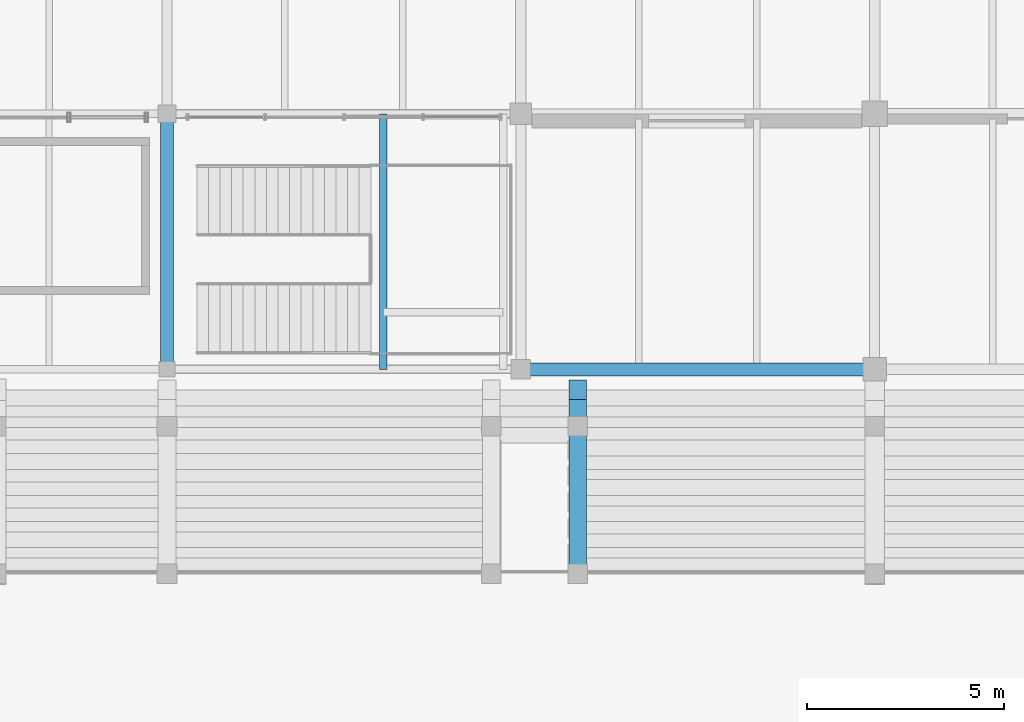
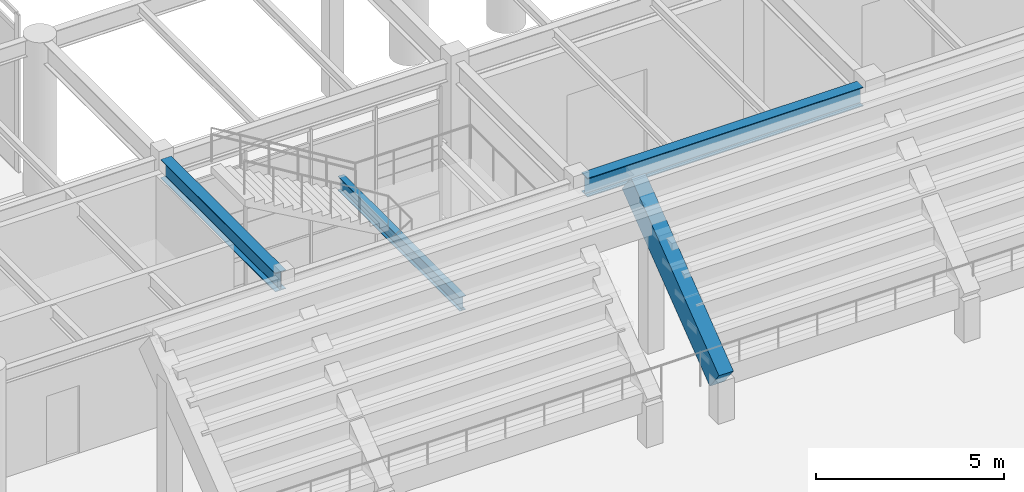
# One storey, part 70 of 203: 4 beams.
"""IFC4 building model written with IfcOpenShell, lengths in metres."""

import ifcopenshell
import ifcopenshell.guid

model = None  # the IFC model being written
_history = None  # IfcOwnerHistory: only IFC2X3 demands one
_inside = {}  # id of a spatial element -> (the spatial element, [elements in it])
_under = {}  # id of a project, library or spatial element -> (it, [spatial elements below it])
_declared = {}  # id of a project -> (the project, [libraries it declares])
_typed = {}  # id of a type object -> (the type object, [elements of that type])
_made_of = {}  # id of a material, layer set ... -> (it, [elements and type objects made of it])


def new_model(schema):
    """Start an empty IFC model of exactly this schema.

    Asked for "IFC4X3", IfcOpenShell would pick the latest addendum, in which some entities
    have other attributes; the version numbers below select the first issue.
    IFC2X3 requires an IfcOwnerHistory on every rooted entity: one is made here for all.
    """
    global model, _history
    if schema == "IFC4X3":
        model = ifcopenshell.file(schema_version=(4, 3, 0, 0))
    else:
        model = ifcopenshell.file(schema=schema)
    _inside.clear()
    _under.clear()
    _declared.clear()
    _typed.clear()
    _made_of.clear()
    _history = None
    if model.schema == "IFC2X3":
        org = make("IfcOrganization", Name="unknown")
        user = make(
            "IfcPersonAndOrganization",
            ThePerson=make("IfcPerson", FamilyName="unknown"),
            TheOrganization=org,
        )
        app = make(
            "IfcApplication",
            ApplicationDeveloper=org,
            Version="unknown",
            ApplicationFullName="unknown",
            ApplicationIdentifier="unknown",
        )
        _history = make(
            "IfcOwnerHistory",
            OwningUser=user,
            OwningApplication=app,
            ChangeAction="ADDED",
            CreationDate=0,
        )
    return model


def make(cls, **values):
    """One entity of the class cls with the attributes given. An attribute that is None is left unset."""
    return model.create_entity(
        cls, **{name: value for name, value in values.items() if value is not None}
    )


def rooted(cls, **values):
    """An entity with a GlobalId (a new one), such as an element, a storey or a relation."""
    return make(cls, GlobalId=ifcopenshell.guid.new(), OwnerHistory=_history, **values)


def si_unit(unit_type, name, prefix=None):
    """IfcSIUnit, for example si_unit("LENGTHUNIT", "METRE", prefix="MILLI")."""
    return make("IfcSIUnit", UnitType=unit_type, Prefix=prefix, Name=name)


def assignment(units):
    """IfcUnitAssignment: the units of a project."""
    return None if units is None else make("IfcUnitAssignment", Units=units)


def point(xyz):
    """IfcCartesianPoint."""
    return None if xyz is None else make("IfcCartesianPoint", Coordinates=xyz)


def direction(xyz):
    """IfcDirection."""
    return None if xyz is None else make("IfcDirection", DirectionRatios=xyz)


def frame(location, z_axis=None, x_axis=None):
    """IfcAxis2Placement3D, a coordinate frame: its origin and axes. An axis left out is left unset."""
    return make(
        "IfcAxis2Placement3D",
        Location=point(location),
        Axis=direction(z_axis),
        RefDirection=direction(x_axis),
    )


def frame_2d(location, x_axis=None):
    """IfcAxis2Placement2D, a coordinate frame in the plane: its origin and x axis."""
    return make(
        "IfcAxis2Placement2D", Location=point(location), RefDirection=direction(x_axis)
    )


def origin():
    """The frame at (0, 0, 0) with its axes left unset."""
    return frame((0.0, 0.0, 0.0))


def origin_2d():
    """The frame at (0, 0) in the plane with its x axis left unset."""
    return frame_2d((0.0, 0.0))


def place(relative_to, where):
    """IfcLocalPlacement: puts the frame where relative to a parent placement (None: the world)."""
    return make(
        "IfcLocalPlacement", PlacementRelTo=relative_to, RelativePlacement=where
    )


def context(
    kind, dimensions, precision=None, world=None, true_north=None, identifier=None
):
    """IfcGeometricRepresentationContext, for example the 3D "Model" context."""
    return make(
        "IfcGeometricRepresentationContext",
        ContextIdentifier=identifier,
        ContextType=kind,
        CoordinateSpaceDimension=dimensions,
        Precision=precision,
        WorldCoordinateSystem=world,
        TrueNorth=true_north,
    )


def subcontext(parent, identifier, kind, view, scale=None):
    """IfcGeometricRepresentationSubContext, for example "Body" below "Model"."""
    return make(
        "IfcGeometricRepresentationSubContext",
        ContextIdentifier=identifier,
        ContextType=kind,
        ParentContext=parent,
        TargetScale=scale,
        TargetView=view,
    )


def project(units=None, contexts=None):
    """IfcProject with its units and contexts."""
    return rooted(
        "IfcProject",
        Name="project",
        RepresentationContexts=contexts,
        UnitsInContext=assignment(units),
    )


def spatial(cls, under=None, at=None, **own):
    """A site, building, storey or space (cls), placed at a placement, below another one or the project."""
    s = rooted(cls, ObjectPlacement=at, **own)
    if under is not None:
        _under.setdefault(under.id(), (under, []))[1].append(s)
    return s


def profile(cls, at=None, kind="AREA", **sizes):
    """A parametric profile (cls). Its sizes go by their IFC names, for example OverallWidth=200.0."""
    return make(cls, ProfileType=kind, Position=at, **sizes)


def rectangle(**sizes):
    """IfcRectangleProfileDef."""
    return profile("IfcRectangleProfileDef", **sizes)


def i_section(**sizes):
    """IfcIShapeProfileDef."""
    return profile("IfcIShapeProfileDef", **sizes)


def extrude(swept, where, along, depth):
    """IfcExtrudedAreaSolid: the profile swept, set in the frame where, extruded along a direction by depth."""
    return make(
        "IfcExtrudedAreaSolid",
        SweptArea=swept,
        Position=where,
        ExtrudedDirection=direction(along),
        Depth=depth,
    )


def shape(context_of_items, identifier, shape_type, items):
    """IfcShapeRepresentation: the items that make up one representation, for example the "Body"."""
    return make(
        "IfcShapeRepresentation",
        ContextOfItems=context_of_items,
        RepresentationIdentifier=identifier,
        RepresentationType=shape_type,
        Items=items,
    )


def material(Name=None, Category=None):
    """IfcMaterial."""
    return make("IfcMaterial", Name=Name, Category=Category)


def material_profile(
    of_material, cross_section, Name=None, Category=None, Priority=None
):
    """IfcMaterialProfile: a cross section and its material."""
    return make(
        "IfcMaterialProfile",
        Name=Name,
        Material=of_material,
        Profile=cross_section,
        Priority=Priority,
        Category=Category,
    )


def profile_set(profiles, Name=None, composite=None):
    """IfcMaterialProfileSet."""
    return make(
        "IfcMaterialProfileSet",
        Name=Name,
        MaterialProfiles=profiles,
        CompositeProfile=composite,
    )


def made_of(thing, what):
    """Note that an element or type object is made of a material, layer set ...; save() writes the relation."""
    if what is not None:
        _made_of.setdefault(what.id(), (what, []))[1].append(thing)
    return thing


def type_object(cls, material=None, **own):
    """A type object (cls), such as IfcWallType, which elements share."""
    return made_of(rooted(cls, **own), material)


def element(
    cls,
    number,
    at=None,
    inside=None,
    cuts=None,
    type_object=None,
    material=None,
    context=None,
    identifier="Body",
    shape_type=None,
    held_by="IfcProductDefinitionShape",
    body=None,
    shapes=None,
    **own,
):
    """One element of the class cls, such as IfcWall. Its Tag is "e" and its number.

    at: its placement. inside: the storey or other place that contains it. cuts: it is an
    opening in that element (IfcRelVoidsElement). A single representation is given by context,
    identifier, shape_type and body (its items); several are given by shapes. held_by: the class
    of the entity that holds the representations. save() writes the other relations.
    """
    e = rooted(cls, Tag="e%d" % number, ObjectPlacement=at, **own)
    if body is not None:
        shapes = [shape(context, identifier, shape_type, body)]
    if shapes is not None:
        e.Representation = make(held_by, Representations=shapes)
    if inside is not None:
        _inside.setdefault(inside.id(), (inside, []))[1].append(e)
    if cuts is not None:
        rooted(
            "IfcRelVoidsElement", RelatingBuildingElement=cuts, RelatedOpeningElement=e
        )
    if type_object is not None:
        _typed.setdefault(type_object.id(), (type_object, []))[1].append(e)
    return made_of(e, material)


def aggregate(whole, parts):
    """IfcRelAggregates: a whole, such as a stair, and the parts it consists of."""
    return rooted("IfcRelAggregates", RelatingObject=whole, RelatedObjects=parts)


def save(model, path):
    """Write the relations noted so far, then the file.

    IfcRelAggregates (storeys below a building ...), IfcRelContainedInSpatialStructure (elements
    in a storey), IfcRelDefinesByType, IfcRelAssociatesMaterial and IfcRelDeclares: one each for
    every whole, place, type object, material and project.
    """
    for whole, parts in _under.values():
        aggregate(whole, parts)
    for where, things in _inside.values():
        rooted(
            "IfcRelContainedInSpatialStructure",
            RelatedElements=things,
            RelatingStructure=where,
        )
    for kind, things in _typed.values():
        rooted("IfcRelDefinesByType", RelatedObjects=things, RelatingType=kind)
    for what, things in _made_of.values():
        rooted("IfcRelAssociatesMaterial", RelatedObjects=things, RelatingMaterial=what)
    for by, libraries in _declared.values():
        rooted("IfcRelDeclares", RelatingContext=by, RelatedDefinitions=libraries)
    model.write(path)


model = new_model("IFC4")

# Units and contexts
model_context = context("Model", 3, precision=1e-05, world=origin(), true_north=direction((0.0, 1.0)))
body_context = subcontext(model_context, "Body", "Model", "MODEL_VIEW")
ifc_project = project(units=[si_unit("LENGTHUNIT", "METRE"), si_unit("AREAUNIT", "SQUARE_METRE"), si_unit("VOLUMEUNIT", "CUBIC_METRE"), si_unit("PLANEANGLEUNIT", "RADIAN"), si_unit("MASSUNIT", "GRAM", prefix="KILO"), si_unit("THERMODYNAMICTEMPERATUREUNIT", "KELVIN"), si_unit("POWERUNIT", "WATT")], contexts=[model_context])

# Site, building, storey
site_placement = place(None, origin())
site = spatial("IfcSite", under=ifc_project, at=site_placement, CompositionType="ELEMENT")
building_placement = place(site_placement, origin())
building = spatial("IfcBuilding", under=site, at=building_placement, Name="Tepalcoro Natatorium and Aquatics Centre", CompositionType="ELEMENT")
storey_placement = place(building_placement, origin())
storey = spatial("IfcBuildingStorey", under=building, at=storey_placement, Name="L00", CompositionType="ELEMENT", Elevation=0.0)

# Beams
ifc_material_1 = material(Name="Steel ASTM A992 Grade 50 (Fy 345 MPa)", Category="steel")
ifc_material_profile_1 = material_profile(ifc_material_1, i_section(OverallWidth=0.19091796875, OverallDepth=0.45703125, WebThickness=0.009033203125, FlangeThickness=0.013916015625, FilletRadius=0.013916015625, at=origin_2d()), Name="W18X50")
ifc_profile_set_1 = profile_set([ifc_material_profile_1], Name="Steel ASTM A992 Grade 50 (Fy 345 MPa)")
beam_type_1 = type_object("IfcBeamType", Name="BM_W18x50", PredefinedType="BEAM", material=ifc_profile_set_1)
beam_1_placement = place(storey_placement, frame((76.5, 59.001953125, 2.271484375), z_axis=(0.0, 1.0, 0.0), x_axis=(-1.0, 0.0, 0.0)))
element("IfcBeam", 1, at=beam_1_placement, inside=storey, type_object=beam_type_1, Name="Vomitory Half-Landing Trimmer Beam NW-W", PredefinedType="BEAM", context=body_context, shape_type="SweptSolid", body=[
    extrude(i_section(OverallWidth=0.19091796875, OverallDepth=0.45703125, WebThickness=0.009033203125, FlangeThickness=0.013916015625, FilletRadius=0.013916015625, at=origin_2d()), origin(), (0.0, 0.0, 1.0), 6.49609375),
])
ifc_material_profile_2 = material_profile(ifc_material_1, i_section(OverallWidth=0.324951171875, OverallDepth=0.616943359375, WebThickness=0.013916015625, FlangeThickness=0.02197265625, FilletRadius=0.013916015625, at=origin_2d()), Name="W24X117")
ifc_profile_set_2 = profile_set([ifc_material_profile_2], Name="Steel ASTM A992 Grade 50 (Fy 345 MPa)")
beam_type_2 = type_object("IfcBeamType", Name="BM_W24x117", PredefinedType="BEAM", material=ifc_profile_set_2)
beam_2_placement = place(storey_placement, frame((80.235107421875, 59.0, 4.81640625), z_axis=(1.0, 0.0, 0.0), x_axis=(0.0, 1.0, 0.0)))
element("IfcBeam", 2, at=beam_2_placement, inside=storey, type_object=beam_type_2, Name="V1 L00 Grid Girder X", PredefinedType="BEAM", context=body_context, shape_type="SweptSolid", body=[
    extrude(i_section(OverallWidth=0.324951171875, OverallDepth=0.616943359375, WebThickness=0.013916015625, FlangeThickness=0.02197265625, FilletRadius=0.013916015625, at=origin_2d()), origin(), (0.0, 0.0, 1.0), 8.47998046875),
])
beam_3_placement = place(storey_placement, frame((71.0, 59.18505859375, 4.81640625), z_axis=(0.0, 1.0, 0.0), x_axis=(-1.0, 0.0, 0.0)))
element("IfcBeam", 3, at=beam_3_placement, inside=storey, type_object=beam_type_2, Name="V1 L00 Grid Girder Y", PredefinedType="BEAM", context=body_context, shape_type="SweptSolid", body=[
    extrude(i_section(OverallWidth=0.324951171875, OverallDepth=0.616943359375, WebThickness=0.013916015625, FlangeThickness=0.02197265625, FilletRadius=0.013916015625, at=origin_2d()), origin(), (0.0, 0.0, 1.0), 6.10498046875),
])
ifc_material_2 = material(Name="Concrete C40/50 (fc 40 MPa)", Category="concrete")
ifc_material_profile_3 = material_profile(ifc_material_2, rectangle(XDim=0.449951171875, YDim=0.800048828125, at=origin_2d()), Name="RKR450x800")
ifc_profile_set_3 = profile_set([ifc_material_profile_3], Name="Concrete C40/50 (fc 40 MPa)")
beam_type_3 = type_object("IfcBeamType", Name="RK_RC_450x800", PredefinedType="USERDEFINED", material=ifc_profile_set_3)
beam_4_placement = place(storey_placement, frame((81.449951171875, 53.800048828125, 1.25), z_axis=(0.0, 0.793431117483, 0.608660054389), x_axis=(-1.0, 0.0, 0.0)))
element("IfcBeam", 4, at=beam_4_placement, inside=storey, type_object=beam_type_3, Name="Spectator Bowl Raker Beam N-4", ObjectType="RAKER", PredefinedType="USERDEFINED", context=body_context, shape_type="SweptSolid", body=[
    extrude(rectangle(XDim=0.449951171875, YDim=0.800048828125, at=origin_2d()), origin(), (0.0, 0.0, 1.0), 5.8984375),
])

save(model, "model.ifc")
